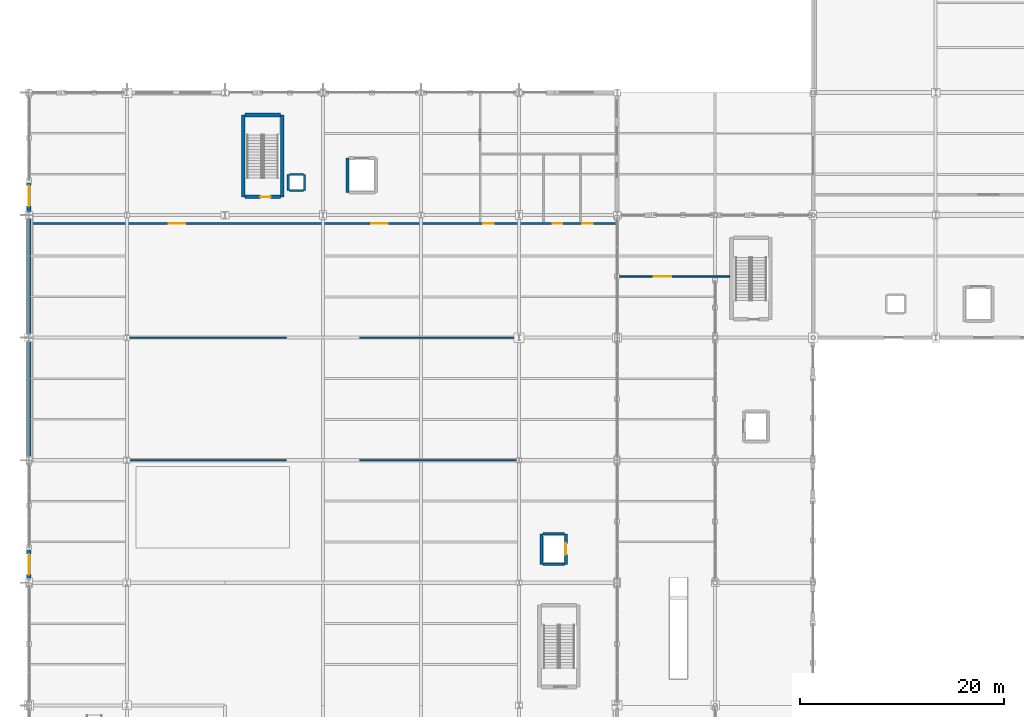
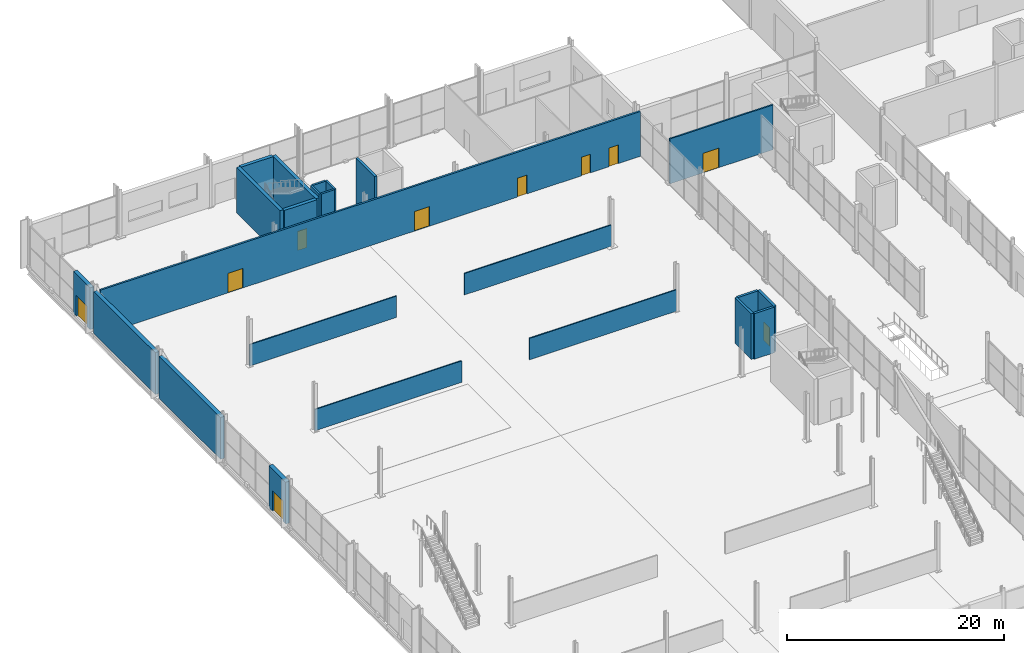
# One storey, part 171 of 196: 23 walls, 10 doors, 10 openings.
"""IFC4 building model written with IfcOpenShell, lengths in metres."""

from ifc_helpers import new_model, si_unit, direction, frame, frame_2d, origin, place, context, subcontext, project, spatial, rectangle, extrude, material, layer, layer_set, type_object, element, fill, save


model = new_model("IFC4")

# Units and contexts
model_context = context("Model", 3, precision=1e-05, world=origin(), true_north=direction((0.0, 1.0)))
body_context = subcontext(model_context, "Body", "Model", "MODEL_VIEW")
ifc_project = project(units=[si_unit("LENGTHUNIT", "METRE"), si_unit("AREAUNIT", "SQUARE_METRE"), si_unit("VOLUMEUNIT", "CUBIC_METRE"), si_unit("PLANEANGLEUNIT", "RADIAN"), si_unit("MASSUNIT", "GRAM", prefix="KILO")], contexts=[model_context])

# Site, building, storey
site_placement = place(None, origin())
site = spatial("IfcSite", under=ifc_project, at=site_placement, CompositionType="ELEMENT")
building_placement = place(site_placement, origin())
building = spatial("IfcBuilding", under=site, at=building_placement, Name="Merenkruunu Market Hall", CompositionType="ELEMENT")
storey_placement = place(building_placement, origin())
storey = spatial("IfcBuildingStorey", under=building, at=storey_placement, Name="L00", CompositionType="ELEMENT", Elevation=0.0)

# Wall, opening, door
ifc_material_1 = material(Name="Kuru grey granite", Category="masonry")
ifc_layer_1 = layer(ifc_material_1, 0.419921875)
ifc_layer_set_1 = layer_set([ifc_layer_1], Name="Kuru grey granite")
wall_type_1 = type_object("IfcWallType", Name="Exterior Envelope Wall EW01", PredefinedType="STANDARD", material=ifc_layer_set_1)
wall_1_placement = place(storey_placement, frame((0.0, 63.928955078125, 0.0), z_axis=(0.0, 0.0, 1.0), x_axis=(0.0, 1.0, 0.0)))
wall_1 = element("IfcWall", 1, at=wall_1_placement, inside=storey, type_object=wall_type_1, Name="WALL-EXT-L00-0003", PredefinedType="STANDARD", context=body_context, shape_type="SweptSolid", body=[
    extrude(rectangle(XDim=3.12109375, YDim=0.419921875, at=frame_2d((1.560546875, 0.0))), origin(), (0.0, 0.0, 1.0), 4.699951171875),
])
opening_1_placement = place(wall_1_placement, frame((0.47998046875, 0.0, 0.0)))
opening_1 = element("IfcOpeningElement", 2, at=opening_1_placement, cuts=wall_1, Name="Opening EXD03", PredefinedType="OPENING", context=body_context, shape_type="SweptSolid", body=[
    extrude(rectangle(XDim=2.0, YDim=2.300048828125, at=frame_2d((1.0, 1.14990234375))), frame((0.0, 0.219970703125, 0.0), z_axis=(0.0, -1.0, 0.0), x_axis=(1.0, 0.0, 0.0)), (0.0, 0.0, 1.0), 0.43994140625),
])
ifc_material_2 = material(Name="Powder-coated aluminium", Category="aluminium")
door_type_1 = type_object("IfcDoorType", Name="Pedestrian Exit Door EXD03", OperationType="NOTDEFINED", PredefinedType="DOOR", material=ifc_material_2)
door_1_placement = place(opening_1_placement, origin())
door_1 = element("IfcDoor", 3, at=door_1_placement, inside=storey, type_object=door_type_1, Name="EX-03", OperationType="DOUBLE_DOOR_SINGLE_SWING", OverallHeight=2.300048828125, OverallWidth=2.0, PredefinedType="DOOR", context=body_context, shape_type="SweptSolid", body=[
    extrude(rectangle(XDim=2.0, YDim=2.300048828125, at=frame_2d((1.0, 1.14990234375))), frame((0.0, 0.02490234375, 0.0), z_axis=(0.0, -1.0, 0.0), x_axis=(1.0, 0.0, 0.0)), (0.0, 0.0, 1.0), 0.050048828125),
])
fill(opening_1, door_1)

# Walls
for number, where, z_axis, x_axis, name in (
    (4, (0.0, 75.928955078125, 0.0), (0.0, 0.0, 1.0), (0.0, 1.0, 0.0), "WALL-EXT-L00-0004"),
    (5, (0.0, 87.928955078125, 0.0), (0.0, 0.0, 1.0), (0.0, 1.0, 0.0), "WALL-EXT-L00-0007"),
):
    element("IfcWall", number, at=place(storey_placement, frame(where, z_axis=z_axis, x_axis=x_axis)), inside=storey, type_object=wall_type_1, Name=name, PredefinedType="STANDARD", context=body_context, shape_type="SweptSolid", body=[
        extrude(rectangle(XDim=11.342041015625, YDim=0.419921875, at=frame_2d((5.6708984375, 0.0))), origin(), (0.0, 0.0, 1.0), 4.699951171875),
    ])

# Wall, opening, door
wall_2_placement = place(storey_placement, frame((0.0, 99.928955078125, 0.0), z_axis=(0.0, 0.0, 1.0), x_axis=(0.0, 1.0, 0.0)))
wall_2 = element("IfcWall", 6, at=wall_2_placement, inside=storey, type_object=wall_type_1, Name="WALL-EXT-L00-0010", PredefinedType="STANDARD", context=body_context, shape_type="SweptSolid", body=[
    extrude(rectangle(XDim=3.071044921875, YDim=0.419921875, at=frame_2d((1.53564453125, 0.0))), origin(), (0.0, 0.0, 1.0), 4.699951171875),
])
opening_2_placement = place(wall_2_placement, frame((0.550048828125, 0.0, 0.0)))
opening_2 = element("IfcOpeningElement", 7, at=opening_2_placement, cuts=wall_2, Name="Opening EXD03", PredefinedType="OPENING", context=body_context, shape_type="SweptSolid", body=[
    extrude(rectangle(XDim=2.0, YDim=2.300048828125, at=frame_2d((1.0, 1.14990234375))), frame((0.0, 0.219970703125, 0.0), z_axis=(0.0, -1.0, 0.0), x_axis=(1.0, 0.0, 0.0)), (0.0, 0.0, 1.0), 0.43994140625),
])
door_2_placement = place(opening_2_placement, origin())
door_2 = element("IfcDoor", 8, at=door_2_placement, inside=storey, type_object=door_type_1, Name="EX-04", OperationType="DOUBLE_DOOR_SINGLE_SWING", OverallHeight=2.300048828125, OverallWidth=2.0, PredefinedType="DOOR", context=body_context, shape_type="SweptSolid", body=[
    extrude(rectangle(XDim=2.0, YDim=2.300048828125, at=frame_2d((1.0, 1.14990234375))), frame((0.0, 0.02490234375, 0.0), z_axis=(0.0, -1.0, 0.0), x_axis=(1.0, 0.0, 0.0)), (0.0, 0.0, 1.0), 0.050048828125),
])
fill(opening_2, door_2)

# Wall, openings, doors
ifc_material_3 = material(Name="Gypsum fire compartment board")
ifc_layer_2 = layer(ifc_material_3, 0.199951171875)
ifc_layer_set_2 = layer_set([ifc_layer_2], Name="Gypsum fire compartment board")
wall_type_2 = type_object("IfcWallType", Name="Interior Partition Wall FW02", PredefinedType="PARTITIONING", material=ifc_layer_set_2)
wall_3_placement = place(storey_placement, frame((0.2119140625, 98.800048828125, 0.0), z_axis=(0.0, 0.0, 1.0), x_axis=(1.0, 0.0, 0.0)))
wall_3 = element("IfcWall", 9, at=wall_3_placement, inside=storey, type_object=wall_type_2, Name="WALL-INT-L00-0028", PredefinedType="PARTITIONING", context=body_context, shape_type="SweptSolid", body=[
    extrude(rectangle(XDim=57.30615234375, YDim=0.199951171875, at=frame_2d((28.653076171875, 0.0))), origin(), (0.0, 0.0, 1.0), 5.0400390625),
])
opening_3_placement = place(wall_3_placement, frame((13.5, 0.0, 0.0)))
opening_3 = element("IfcOpeningElement", 10, at=opening_3_placement, cuts=wall_3, Name="Opening FD05", PredefinedType="OPENING", context=body_context, shape_type="SweptSolid", body=[
    extrude(rectangle(XDim=1.60009765625, YDim=2.199951171875, at=frame_2d((0.800048828125, 1.10009765625))), frame((0.0, 0.10986328125, 0.0), z_axis=(0.0, -1.0, 0.0), x_axis=(1.0, 0.0, 0.0)), (0.0, 0.0, 1.0), 0.219970703125),
])
opening_4_placement = place(wall_3_placement, frame((33.3330078125, 0.0, 0.0)))
opening_4 = element("IfcOpeningElement", 11, at=opening_4_placement, cuts=wall_3, Name="Opening FD05", PredefinedType="OPENING", context=body_context, shape_type="SweptSolid", body=[
    extrude(rectangle(XDim=1.60009765625, YDim=2.199951171875, at=frame_2d((0.800048828125, 1.10009765625))), frame((0.0, 0.10986328125, 0.0), z_axis=(0.0, -1.0, 0.0), x_axis=(1.0, 0.0, 0.0)), (0.0, 0.0, 1.0), 0.219970703125),
])
opening_5_placement = place(wall_3_placement, frame((44.26708984375, 0.0, 0.0)))
opening_5 = element("IfcOpeningElement", 12, at=opening_5_placement, cuts=wall_3, Name="Opening D08", PredefinedType="OPENING", context=body_context, shape_type="SweptSolid", body=[
    extrude(rectangle(XDim=1.02001953125, YDim=2.1201171875, at=frame_2d((0.510009765625, 1.06005859375))), frame((0.0, 0.10986328125, 0.0), z_axis=(0.0, -1.0, 0.0), x_axis=(1.0, 0.0, 0.0)), (0.0, 0.0, 1.0), 0.219970703125),
])
opening_6_placement = place(wall_3_placement, frame((51.06689453125, 0.0, 0.0)))
opening_6 = element("IfcOpeningElement", 13, at=opening_6_placement, cuts=wall_3, Name="Opening D01", PredefinedType="OPENING", context=body_context, shape_type="SweptSolid", body=[
    extrude(rectangle(XDim=0.949951171875, YDim=2.10009765625, at=frame_2d((0.47509765625, 1.050048828125))), frame((0.0, 0.10986328125, 0.0), z_axis=(0.0, -1.0, 0.0), x_axis=(1.0, 0.0, 0.0)), (0.0, 0.0, 1.0), 0.219970703125),
])
opening_7_placement = place(wall_3_placement, frame((54.0, 0.0, 0.0)))
opening_7 = element("IfcOpeningElement", 14, at=opening_7_placement, cuts=wall_3, Name="Opening D02", PredefinedType="OPENING", context=body_context, shape_type="SweptSolid", body=[
    extrude(rectangle(XDim=1.0, YDim=2.10009765625, at=frame_2d((0.5, 1.050048828125))), frame((0.0, 0.10986328125, 0.0), z_axis=(0.0, -1.0, 0.0), x_axis=(1.0, 0.0, 0.0)), (0.0, 0.0, 1.0), 0.219970703125),
])
ifc_material_4 = material(Name="Lacquered Nordic birch")
door_type_2 = type_object("IfcDoorType", Name="Accessible Sanitary Door D08", OperationType="NOTDEFINED", PredefinedType="DOOR", material=ifc_material_4)
door_3_placement = place(opening_5_placement, origin())
door_3 = element("IfcDoor", 15, at=door_3_placement, inside=storey, type_object=door_type_2, Name="DR-L00-029", OperationType="SINGLE_SWING_RIGHT", OverallHeight=2.1201171875, OverallWidth=1.02001953125, PredefinedType="DOOR", context=body_context, shape_type="SweptSolid", body=[
    extrude(rectangle(XDim=1.02001953125, YDim=2.1201171875, at=frame_2d((0.510009765625, 1.06005859375))), frame((0.0, 0.02490234375, 0.0), z_axis=(0.0, -1.0, 0.0), x_axis=(1.0, 0.0, 0.0)), (0.0, 0.0, 1.0), 0.050048828125),
])
fill(opening_5, door_3)
door_type_3 = type_object("IfcDoorType", Name="Fire Compartment Door FD05", OperationType="NOTDEFINED", PredefinedType="DOOR", material=ifc_material_2)
door_4_placement = place(opening_3_placement, origin())
door_4 = element("IfcDoor", 16, at=door_4_placement, inside=storey, type_object=door_type_3, Name="DR-L00-027", OperationType="SINGLE_SWING_RIGHT", OverallHeight=2.199951171875, OverallWidth=1.60009765625, PredefinedType="DOOR", context=body_context, shape_type="SweptSolid", body=[
    extrude(rectangle(XDim=1.60009765625, YDim=2.199951171875, at=frame_2d((0.800048828125, 1.10009765625))), frame((0.0, 0.02490234375, 0.0), z_axis=(0.0, -1.0, 0.0), x_axis=(1.0, 0.0, 0.0)), (0.0, 0.0, 1.0), 0.050048828125),
])
fill(opening_3, door_4)
door_5_placement = place(opening_4_placement, origin())
door_5 = element("IfcDoor", 17, at=door_5_placement, inside=storey, type_object=door_type_3, Name="DR-L00-028", OperationType="SINGLE_SWING_LEFT", OverallHeight=2.199951171875, OverallWidth=1.60009765625, PredefinedType="DOOR", context=body_context, shape_type="SweptSolid", body=[
    extrude(rectangle(XDim=1.60009765625, YDim=2.199951171875, at=frame_2d((0.800048828125, 1.10009765625))), frame((0.0, 0.02490234375, 0.0), z_axis=(0.0, -1.0, 0.0), x_axis=(1.0, 0.0, 0.0)), (0.0, 0.0, 1.0), 0.050048828125),
])
fill(opening_4, door_5)
door_type_4 = type_object("IfcDoorType", Name="Pedestrian Room Door D01", OperationType="NOTDEFINED", PredefinedType="DOOR", material=ifc_material_4)
door_6_placement = place(opening_6_placement, origin())
door_6 = element("IfcDoor", 18, at=door_6_placement, inside=storey, type_object=door_type_4, Name="DR-L00-030", OperationType="SINGLE_SWING_LEFT", OverallHeight=2.10009765625, OverallWidth=0.949951171875, PredefinedType="DOOR", context=body_context, shape_type="SweptSolid", body=[
    extrude(rectangle(XDim=0.949951171875, YDim=2.10009765625, at=frame_2d((0.47509765625, 1.050048828125))), frame((0.0, 0.02490234375, 0.0), z_axis=(0.0, -1.0, 0.0), x_axis=(1.0, 0.0, 0.0)), (0.0, 0.0, 1.0), 0.050048828125),
])
fill(opening_6, door_6)
door_type_5 = type_object("IfcDoorType", Name="Pedestrian Room Door D02", OperationType="NOTDEFINED", PredefinedType="DOOR", material=ifc_material_4)
door_7_placement = place(opening_7_placement, origin())
door_7 = element("IfcDoor", 19, at=door_7_placement, inside=storey, type_object=door_type_5, Name="DR-L00-031", OperationType="SINGLE_SWING_RIGHT", OverallHeight=2.10009765625, OverallWidth=1.0, PredefinedType="DOOR", context=body_context, shape_type="SweptSolid", body=[
    extrude(rectangle(XDim=1.0, YDim=2.10009765625, at=frame_2d((0.5, 1.050048828125))), frame((0.0, 0.02490234375, 0.0), z_axis=(0.0, -1.0, 0.0), x_axis=(1.0, 0.0, 0.0)), (0.0, 0.0, 1.0), 0.050048828125),
])
fill(opening_7, door_7)

# Walls
wall_4_placement = place(storey_placement, frame((25.501953125, 102.0, 0.0), z_axis=(0.0, 0.0, 1.0), x_axis=(1.0, 0.0, 0.0)))
element("IfcWall", 20, at=wall_4_placement, inside=storey, type_object=wall_type_2, Name="WALL-INT-L00-0107", PredefinedType="PARTITIONING", context=body_context, shape_type="SweptSolid", body=[
    extrude(rectangle(XDim=1.39599609375, YDim=0.199951171875, at=frame_2d((0.697998046875, 0.0))), origin(), (0.0, 0.0, 1.0), 5.0400390625),
])
wall_5_placement = place(storey_placement, frame((27.0, 102.0, 0.0), z_axis=(0.0, 0.0, 1.0), x_axis=(0.0, 1.0, 0.0)))
element("IfcWall", 21, at=wall_5_placement, inside=storey, type_object=wall_type_2, Name="WALL-INT-L00-0108", PredefinedType="PARTITIONING", context=body_context, shape_type="SweptSolid", body=[
    extrude(rectangle(XDim=1.60009765625, YDim=0.199951171875, at=frame_2d((0.800048828125, 0.0))), origin(), (0.0, 0.0, 1.0), 5.0400390625),
])
wall_6_placement = place(storey_placement, frame((26.89794921875, 103.60009765625, 0.0), z_axis=(0.0, 0.0, 1.0), x_axis=(-1.0, 0.0, 0.0)))
element("IfcWall", 22, at=wall_6_placement, inside=storey, type_object=wall_type_2, Name="WALL-INT-L00-0109", PredefinedType="PARTITIONING", context=body_context, shape_type="SweptSolid", body=[
    extrude(rectangle(XDim=1.39599609375, YDim=0.199951171875, at=frame_2d((0.697998046875, 0.0))), origin(), (0.0, 0.0, 1.0), 5.0400390625),
])
wall_7_placement = place(storey_placement, frame((25.39990234375, 103.60009765625, 0.0), z_axis=(0.0, 0.0, 1.0), x_axis=(0.0, -1.0, 0.0)))
element("IfcWall", 23, at=wall_7_placement, inside=storey, type_object=wall_type_2, Name="WALL-INT-L00-0110", PredefinedType="PARTITIONING", context=body_context, shape_type="SweptSolid", body=[
    extrude(rectangle(XDim=1.60009765625, YDim=0.199951171875, at=frame_2d((0.800048828125, 0.0))), origin(), (0.0, 0.0, 1.0), 5.0400390625),
])

# Wall, opening, door
ifc_material_5 = material(Name="Gypsum acoustic partition board")
ifc_layer_3 = layer(ifc_material_5, 0.159912109375)
ifc_layer_set_3 = layer_set([ifc_layer_3], Name="Gypsum acoustic partition board")
wall_type_3 = type_object("IfcWallType", Name="Interior Partition Wall PW01", PredefinedType="PARTITIONING", material=ifc_layer_set_3)
wall_8_placement = place(storey_placement, frame((57.681884765625, 93.60009765625, 0.0), z_axis=(0.0, 0.0, 1.0), x_axis=(1.0, 0.0, 0.0)))
wall_8 = element("IfcWall", 24, at=wall_8_placement, inside=storey, type_object=wall_type_3, Name="WALL-INT-L00-0034", PredefinedType="PARTITIONING", context=body_context, shape_type="SweptSolid", body=[
    extrude(rectangle(XDim=10.93603515625, YDim=0.159912109375, at=frame_2d((5.468017578125, 0.0))), origin(), (0.0, 0.0, 1.0), 5.0400390625),
])
opening_8_placement = place(wall_8_placement, frame((3.5, 0.0, 0.0)))
opening_8 = element("IfcOpeningElement", 25, at=opening_8_placement, cuts=wall_8, Name="Opening D07", PredefinedType="OPENING", context=body_context, shape_type="SweptSolid", body=[
    extrude(rectangle(XDim=1.699951171875, YDim=2.199951171875, at=frame_2d((0.85009765625, 1.10009765625))), frame((0.0, 0.08984375, 0.0), z_axis=(0.0, -1.0, 0.0), x_axis=(1.0, 0.0, 0.0)), (0.0, 0.0, 1.0), 0.179931640625),
])
door_type_6 = type_object("IfcDoorType", Name="Pedestrian Room Door D07", OperationType="NOTDEFINED", PredefinedType="DOOR", material=ifc_material_4)
door_8_placement = place(opening_8_placement, origin())
door_8 = element("IfcDoor", 26, at=door_8_placement, inside=storey, type_object=door_type_6, Name="DR-L00-035", OperationType="DOUBLE_DOOR_SINGLE_SWING", OverallHeight=2.199951171875, OverallWidth=1.699951171875, PredefinedType="DOOR", context=body_context, shape_type="SweptSolid", body=[
    extrude(rectangle(XDim=1.699951171875, YDim=2.199951171875, at=frame_2d((0.85009765625, 1.10009765625))), frame((0.0, 0.02490234375, 0.0), z_axis=(0.0, -1.0, 0.0), x_axis=(1.0, 0.0, 0.0)), (0.0, 0.0, 1.0), 0.050048828125),
])
fill(opening_8, door_8)

# Walls
ifc_material_6 = material(Name="Lacquered Nordic birch stall divider", Category="wood")
ifc_layer_4 = layer(ifc_material_6, 0.1201171875)
ifc_layer_set_4 = layer_set([ifc_layer_4], Name="Lacquered Nordic birch stall divider")
wall_type_4 = type_object("IfcWallType", Name="Interior Partition Wall PW03", PredefinedType="PARTITIONING", material=ifc_layer_set_4)
for number, where, z_axis, x_axis, name in (
    (27, (9.60009765625, 75.60009765625, 0.0), (0.0, 0.0, 1.0), (1.0, 0.0, 0.0), "WALL-INT-L00-0022"),
    (28, (9.60009765625, 87.60009765625, 0.0), (0.0, 0.0, 1.0), (1.0, 0.0, 0.0), "WALL-INT-L00-0023"),
):
    element("IfcWall", number, at=place(storey_placement, frame(where, z_axis=z_axis, x_axis=x_axis)), inside=storey, type_object=wall_type_4, Name=name, PredefinedType="PARTITIONING", context=body_context, shape_type="SweptSolid", body=[
        extrude(rectangle(XDim=15.599853515625, YDim=0.1201171875, at=frame_2d((7.7998046875, 0.0))), origin(), (0.0, 0.0, 1.0), 2.39990234375),
    ])
for number, where, z_axis, x_axis, name in (
    (29, (32.39990234375, 75.60009765625, 0.0), (0.0, 0.0, 1.0), (1.0, 0.0, 0.0), "WALL-INT-L00-0026"),
    (30, (32.39990234375, 87.60009765625, 0.0), (0.0, 0.0, 1.0), (1.0, 0.0, 0.0), "WALL-INT-L00-0027"),
):
    element("IfcWall", number, at=place(storey_placement, frame(where, z_axis=z_axis, x_axis=x_axis)), inside=storey, type_object=wall_type_4, Name=name, PredefinedType="PARTITIONING", context=body_context, shape_type="SweptSolid", body=[
        extrude(rectangle(XDim=15.60009765625, YDim=0.1201171875, at=frame_2d((7.800048828125, 0.0))), origin(), (0.0, 0.0, 1.0), 2.39990234375),
    ])

# Wall, opening, door
ifc_material_7 = material(Name="Concrete C35/45", Category="concrete")
ifc_layer_5 = layer(ifc_material_7, 0.360107421875)
ifc_layer_set_5 = layer_set([ifc_layer_5], Name="Concrete C35/45")
wall_type_5 = type_object("IfcWallType", Name="Structural Shear Wall SW01", PredefinedType="SHEAR", material=ifc_layer_set_5)
wall_9_placement = place(storey_placement, frame((24.6201171875, 101.39990234375, 0.0), z_axis=(0.0, 0.0, 1.0), x_axis=(-1.0, 0.0, 0.0)))
wall_9 = element("IfcWall", 31, at=wall_9_placement, inside=storey, type_object=wall_type_5, Name="WALL-CORE-K1-L00-S", PredefinedType="SHEAR", context=body_context, shape_type="SweptSolid", body=[
    extrude(rectangle(XDim=3.440185546875, YDim=0.360107421875, at=frame_2d((1.72021484375, 0.0))), origin(), (0.0, 0.0, 1.0), 5.1201171875),
])
opening_9_placement = place(wall_9_placement, frame((0.949951171875, 0.0, 0.0)))
opening_9 = element("IfcOpeningElement", 32, at=opening_9_placement, cuts=wall_9, Name="Opening FD01", PredefinedType="OPENING", context=body_context, shape_type="SweptSolid", body=[
    extrude(rectangle(XDim=1.0, YDim=2.14990234375, at=frame_2d((0.5, 1.074951171875))), frame((0.0, 0.18994140625, 0.0), z_axis=(0.0, -1.0, 0.0), x_axis=(1.0, 0.0, 0.0)), (0.0, 0.0, 1.0), 0.380126953125),
])
door_type_7 = type_object("IfcDoorType", Name="Fire Compartment Door FD01", OperationType="NOTDEFINED", PredefinedType="DOOR", material=ifc_material_2)
door_9_placement = place(opening_9_placement, origin())
door_9 = element("IfcDoor", 33, at=door_9_placement, inside=storey, type_object=door_type_7, Name="DR-L00-100", OperationType="SINGLE_SWING_RIGHT", OverallHeight=2.14990234375, OverallWidth=1.0, PredefinedType="DOOR", context=body_context, shape_type="SweptSolid", body=[
    extrude(rectangle(XDim=1.0, YDim=2.14990234375, at=frame_2d((0.5, 1.074951171875))), frame((0.0, 0.02490234375, 0.0), z_axis=(0.0, -1.0, 0.0), x_axis=(1.0, 0.0, 0.0)), (0.0, 0.0, 1.0), 0.050048828125),
])
fill(opening_9, door_9)

# Walls
wall_10_placement = place(storey_placement, frame((24.800048828125, 101.39990234375, 0.0), z_axis=(0.0, 0.0, 1.0), x_axis=(0.0, 1.0, 0.0)))
element("IfcWall", 34, at=wall_10_placement, inside=storey, type_object=wall_type_5, Name="WALL-CORE-K1-L00-E", PredefinedType="SHEAR", context=body_context, shape_type="SweptSolid", body=[
    extrude(rectangle(XDim=8.0, YDim=0.360107421875, at=frame_2d((4.0, 0.0))), origin(), (0.0, 0.0, 1.0), 5.1201171875),
])
wall_11_placement = place(storey_placement, frame((24.6201171875, 109.39990234375, 0.0), z_axis=(0.0, 0.0, 1.0), x_axis=(-1.0, 0.0, 0.0)))
element("IfcWall", 35, at=wall_11_placement, inside=storey, type_object=wall_type_5, Name="WALL-CORE-K1-L00-N", PredefinedType="SHEAR", context=body_context, shape_type="SweptSolid", body=[
    extrude(rectangle(XDim=3.440185546875, YDim=0.360107421875, at=frame_2d((1.72021484375, 0.0))), origin(), (0.0, 0.0, 1.0), 5.1201171875),
])
wall_12_placement = place(storey_placement, frame((21.0, 109.39990234375, 0.0), z_axis=(0.0, 0.0, 1.0), x_axis=(0.0, -1.0, 0.0)))
element("IfcWall", 36, at=wall_12_placement, inside=storey, type_object=wall_type_5, Name="WALL-CORE-K1-L00-W", PredefinedType="SHEAR", context=body_context, shape_type="SweptSolid", body=[
    extrude(rectangle(XDim=8.0, YDim=0.360107421875, at=frame_2d((4.0, 0.0))), origin(), (0.0, 0.0, 1.0), 5.1201171875),
])
ifc_layer_6 = layer(ifc_material_7, 0.260009765625)
ifc_layer_set_6 = layer_set([ifc_layer_6], Name="Concrete C35/45")
wall_type_6 = type_object("IfcWallType", Name="Structural Shear Wall SW03", PredefinedType="SHEAR", material=ifc_layer_set_6)
wall_13_placement = place(storey_placement, frame((50.330078125, 65.39990234375, 0.0), z_axis=(0.0, 0.0, 1.0), x_axis=(1.0, 0.0, 0.0)))
element("IfcWall", 37, at=wall_13_placement, inside=storey, type_object=wall_type_6, Name="WALL-LIFT-LP1-L00-S", PredefinedType="SHEAR", context=body_context, shape_type="SweptSolid", body=[
    extrude(rectangle(XDim=2.139892578125, YDim=0.260009765625, at=frame_2d((1.06982421875, 0.0))), origin(), (0.0, 0.0, 1.0), 5.1201171875),
])

# Wall, opening, door
wall_14_placement = place(storey_placement, frame((52.60009765625, 65.39990234375, 0.0), z_axis=(0.0, 0.0, 1.0), x_axis=(0.0, 1.0, 0.0)))
wall_14 = element("IfcWall", 38, at=wall_14_placement, inside=storey, type_object=wall_type_6, Name="WALL-LIFT-LP1-L00-E", PredefinedType="SHEAR", context=body_context, shape_type="SweptSolid", body=[
    extrude(rectangle(XDim=3.0, YDim=0.260009765625, at=frame_2d((1.5, 0.0))), origin(), (0.0, 0.0, 1.0), 5.1201171875),
])
opening_10_placement = place(wall_14_placement, frame((0.949951171875, 0.0, 0.0)))
opening_10 = element("IfcOpeningElement", 39, at=opening_10_placement, cuts=wall_14, Name="Opening LD01", PredefinedType="OPENING", context=body_context, shape_type="SweptSolid", body=[
    extrude(rectangle(XDim=1.10009765625, YDim=2.10009765625, at=frame_2d((0.550048828125, 1.050048828125))), frame((0.0, 0.14013671875, 0.0), z_axis=(0.0, -1.0, 0.0), x_axis=(1.0, 0.0, 0.0)), (0.0, 0.0, 1.0), 0.280029296875),
])
ifc_material_8 = material(Name="Brushed stainless steel", Category="steel")
door_type_8 = type_object("IfcDoorType", Name="Lift Landing Sliding Door LD01", OperationType="NOTDEFINED", PredefinedType="DOOR", material=ifc_material_8)
door_10_placement = place(opening_10_placement, origin())
door_10 = element("IfcDoor", 40, at=door_10_placement, inside=storey, type_object=door_type_8, Name="Lift landing door LP1 L00", OperationType="SLIDING_TO_LEFT", OverallHeight=2.10009765625, OverallWidth=1.10009765625, PredefinedType="DOOR", context=body_context, shape_type="SweptSolid", body=[
    extrude(rectangle(XDim=1.10009765625, YDim=2.10009765625, at=frame_2d((0.550048828125, 1.050048828125))), frame((0.0, 0.02490234375, 0.0), z_axis=(0.0, -1.0, 0.0), x_axis=(1.0, 0.0, 0.0)), (0.0, 0.0, 1.0), 0.050048828125),
])
fill(opening_10, door_10)

# Walls
wall_15_placement = place(storey_placement, frame((52.469970703125, 68.39990234375, 0.0), z_axis=(0.0, 0.0, 1.0), x_axis=(-1.0, 0.0, 0.0)))
element("IfcWall", 41, at=wall_15_placement, inside=storey, type_object=wall_type_6, Name="WALL-LIFT-LP1-L00-N", PredefinedType="SHEAR", context=body_context, shape_type="SweptSolid", body=[
    extrude(rectangle(XDim=2.139892578125, YDim=0.260009765625, at=frame_2d((1.06982421875, 0.0))), origin(), (0.0, 0.0, 1.0), 5.1201171875),
])
wall_16_placement = place(storey_placement, frame((50.199951171875, 68.39990234375, 0.0), z_axis=(0.0, 0.0, 1.0), x_axis=(0.0, -1.0, 0.0)))
element("IfcWall", 42, at=wall_16_placement, inside=storey, type_object=wall_type_6, Name="WALL-LIFT-LP1-L00-W", PredefinedType="SHEAR", context=body_context, shape_type="SweptSolid", body=[
    extrude(rectangle(XDim=3.0, YDim=0.260009765625, at=frame_2d((1.5, 0.0))), origin(), (0.0, 0.0, 1.0), 5.1201171875),
])
wall_17_placement = place(storey_placement, frame((31.199951171875, 105.199951171875, 0.0), z_axis=(0.0, 0.0, 1.0), x_axis=(0.0, -1.0, 0.0)))
element("IfcWall", 43, at=wall_17_placement, inside=storey, type_object=wall_type_6, Name="WALL-LIFT-LG1-L00-W", PredefinedType="SHEAR", context=body_context, shape_type="SweptSolid", body=[
    extrude(rectangle(XDim=3.39990234375, YDim=0.260009765625, at=frame_2d((1.699951171875, 0.0))), origin(), (0.0, 0.0, 1.0), 5.1201171875),
])

save(model, "model.ifc")
